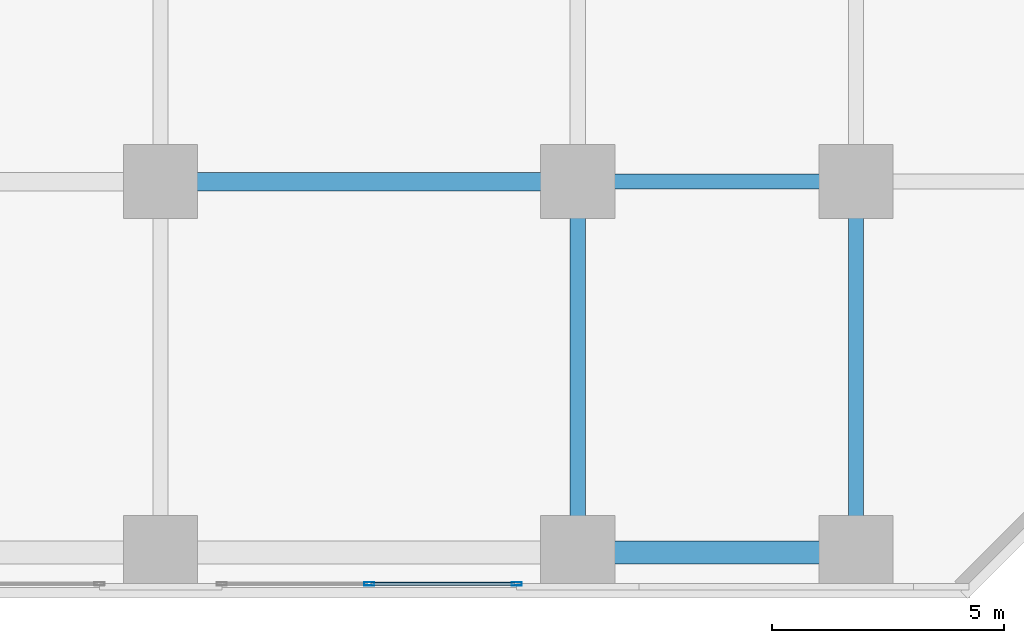
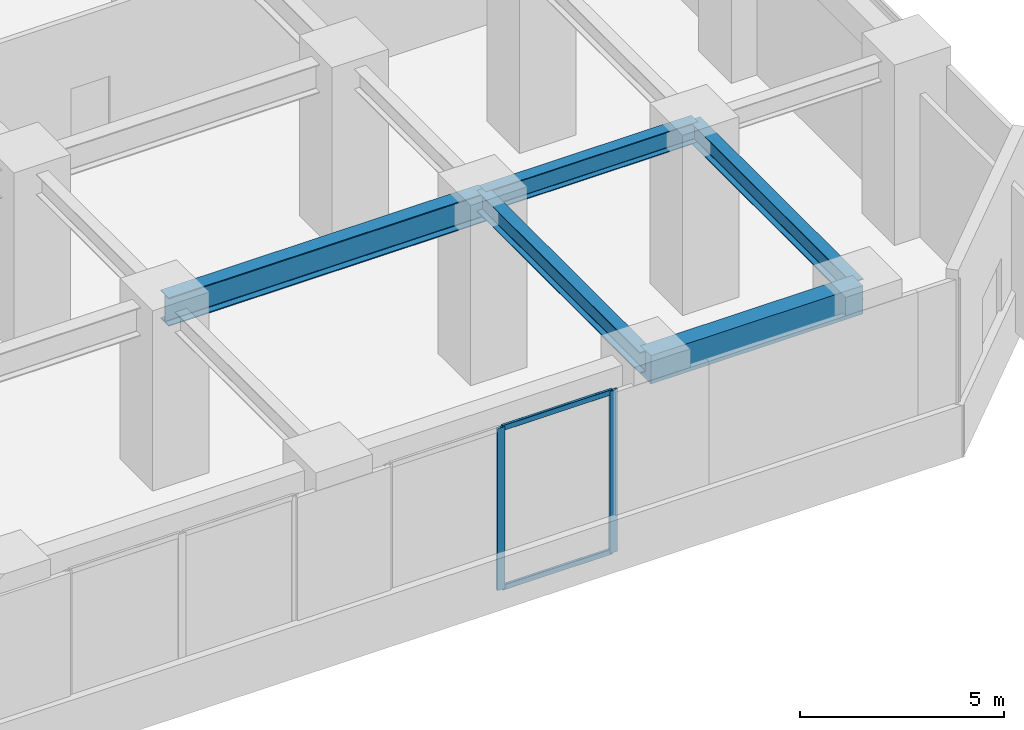
# One storey, part 9 of 33: 5 beams, 4 members, 1 element without a shape of its own.
"""IFC4 building model written with IfcOpenShell, lengths in metres."""

from ifc_helpers import new_model, si_unit, direction, frame, origin, origin_2d, place, context, subcontext, project, spatial, rectangle, hollow_rectangle, i_section, extrude, source, transform, mapped, material, material_profile, profile_set, type_object, element, aggregate, save


model = new_model("IFC4")

# Units and contexts
model_context = context("Model", 3, precision=1e-05, world=origin(), true_north=direction((0.0, 1.0)))
body_context = subcontext(model_context, "Body", "Model", "MODEL_VIEW")
ifc_project = project(units=[si_unit("LENGTHUNIT", "METRE"), si_unit("AREAUNIT", "SQUARE_METRE"), si_unit("VOLUMEUNIT", "CUBIC_METRE"), si_unit("PLANEANGLEUNIT", "RADIAN"), si_unit("MASSUNIT", "GRAM", prefix="KILO")], contexts=[model_context])

# Site, building, storey
site_placement = place(None, origin())
site = spatial("IfcSite", under=ifc_project, at=site_placement, CompositionType="ELEMENT")
building_placement = place(site_placement, origin())
building = spatial("IfcBuilding", under=site, at=building_placement, Name="Torre Montelarca", CompositionType="ELEMENT")
storey_placement = place(building_placement, frame((0.0, 0.0, 12.0)))
storey = spatial("IfcBuildingStorey", under=building, at=storey_placement, Name="L03", CompositionType="ELEMENT", Elevation=12.0)

# Beams
ifc_material_1 = material(Name="Concrete C55/67", Category="concrete")
ifc_material_profile_1 = material_profile(ifc_material_1, rectangle(XDim=0.5, YDim=0.85009765625, at=origin_2d()), Name="RCB500X850", Category="concrete")
ifc_profile_set_1 = profile_set([ifc_material_profile_1], Name="Concrete C55/67")
beam_type_1 = type_object("IfcBeamType", Name="BM-SP-RC850-EXT", PredefinedType="SPANDREL", material=ifc_profile_set_1)
shared_shape_1 = source(origin(), body_context, "Body", "SweptSolid", [
    extrude(rectangle(XDim=0.5, YDim=0.85009765625, at=origin_2d()), origin(), (0.0, 0.0, 1.0), 6.0),
])
beam_1_placement = place(storey_placement, frame((36.0, 0.0, 4.715087890625), z_axis=(1.0, 0.0, 0.0), x_axis=(0.0, 1.0, 0.0)))
element("IfcBeam", 1, at=beam_1_placement, inside=storey, type_object=beam_type_1, Name="L03 Grid Girder X 36.0-42.0 at Y=0.0", PredefinedType="SPANDREL", context=body_context, shape_type="MappedRepresentation", body=[
    mapped(shared_shape_1, transform((0.0, 0.0, 0.0), scale=1.0)),
])
ifc_material_2 = material(Name="Steel ASTM A992 Grade 50", Category="steel")
ifc_material_profile_2 = material_profile(ifc_material_2, i_section(OverallWidth=0.39990234375, OverallDepth=0.85498046875, WebThickness=0.018310546875, FlangeThickness=0.029296875, FilletRadius=0.02001953125, at=origin_2d()), Name="W840X299", Category="steel")
ifc_profile_set_2 = profile_set([ifc_material_profile_2], Name="Steel ASTM A992 Grade 50")
beam_type_2 = type_object("IfcBeamType", Name="BM-G-W840", PredefinedType="BEAM", material=ifc_profile_set_2)
shared_shape_2 = source(origin(), body_context, "Body", "SweptSolid", [
    extrude(i_section(OverallWidth=0.39990234375, OverallDepth=0.85498046875, WebThickness=0.018310546875, FlangeThickness=0.029296875, FilletRadius=0.02001953125, at=origin_2d()), origin(), (0.0, 0.0, 1.0), 9.0),
])
beam_2_placement = place(storey_placement, frame((27.0, 8.0, 4.7119140625), z_axis=(1.0, 0.0, 0.0), x_axis=(0.0, 1.0, 0.0)))
element("IfcBeam", 2, at=beam_2_placement, inside=storey, type_object=beam_type_2, Name="L03 Grid Girder X 27.0-36.0 at Y=8.0", PredefinedType="BEAM", context=body_context, shape_type="MappedRepresentation", body=[
    mapped(shared_shape_2, transform((0.0, 0.0, 0.0), scale=1.0)),
])
ifc_material_profile_3 = material_profile(ifc_material_2, i_section(OverallWidth=0.326904296875, OverallDepth=0.6220703125, WebThickness=0.015380859375, FlangeThickness=0.0244140625, FilletRadius=0.014892578125, at=origin_2d()), Name="W610X195", Category="steel")
ifc_profile_set_3 = profile_set([ifc_material_profile_3], Name="Steel ASTM A992 Grade 50")
beam_type_3 = type_object("IfcBeamType", Name="BM-G-W610H", PredefinedType="BEAM", material=ifc_profile_set_3)
shared_shape_3 = source(origin(), body_context, "Body", "SweptSolid", [
    extrude(i_section(OverallWidth=0.326904296875, OverallDepth=0.6220703125, WebThickness=0.015380859375, FlangeThickness=0.0244140625, FilletRadius=0.014892578125, at=origin_2d()), origin(), (0.0, 0.0, 1.0), 6.0),
])
beam_3_placement = place(storey_placement, frame((36.0, 8.0, 4.8291015625), z_axis=(1.0, 0.0, 0.0), x_axis=(0.0, 1.0, 0.0)))
element("IfcBeam", 3, at=beam_3_placement, inside=storey, type_object=beam_type_3, Name="L03 Grid Girder X 36.0-42.0 at Y=8.0", PredefinedType="BEAM", context=body_context, shape_type="MappedRepresentation", body=[
    mapped(shared_shape_3, transform((0.0, 0.0, 0.0), scale=1.0)),
])
shared_shape_4 = source(origin(), body_context, "Body", "SweptSolid", [
    extrude(i_section(OverallWidth=0.326904296875, OverallDepth=0.6220703125, WebThickness=0.015380859375, FlangeThickness=0.0244140625, FilletRadius=0.014892578125, at=origin_2d()), origin(), (0.0, 0.0, 1.0), 8.0),
])
for number, where, z_axis, x_axis, name in (
    (4, (36.0, 0.0, 4.8291015625), (0.0, 1.0, 0.0), (-1.0, 0.0, 0.0), "L03 Grid Girder Y 0.0-8.0 at X=36.0"),
    (5, (42.0, 0.0, 4.8291015625), (0.0, 1.0, 0.0), (-1.0, 0.0, 0.0), "L03 Grid Girder Y 0.0-8.0 at X=42.0"),
):
    element("IfcBeam", number, at=place(storey_placement, frame(where, z_axis=z_axis, x_axis=x_axis)), inside=storey, type_object=beam_type_3, Name=name, PredefinedType="BEAM", context=body_context, shape_type="MappedRepresentation", body=[
        mapped(shared_shape_4, transform((0.0, 0.0, 0.0), scale=1.0)),
    ])

# Curtain wall, members
ifc_material_3 = material(Name="Insulated low-E laminated glass", Category="glass")
curtain_wall_type = type_object("IfcCurtainWallType", Name="CW-SYS-POD2", PredefinedType="USERDEFINED", material=ifc_material_3)
curtain_wall_placement = place(storey_placement, origin())
curtain_wall = element("IfcCurtainWall", 6, at=curtain_wall_placement, inside=storey, type_object=curtain_wall_type, Name="L03 Curtain Wall Run CW-T3-L03-E01-B3", ObjectType="UNITISED GLAZING", PredefinedType="USERDEFINED")
ifc_material_4 = material(Name="Anodised aluminium AA 6063-T6", Category="aluminium")
ifc_material_profile_4 = material_profile(ifc_material_4, hollow_rectangle(XDim=0.074951171875, YDim=0.159912109375, WallThickness=0.0048828125, InnerFilletRadius=0.0048828125, OuterFilletRadius=0.010009765625, at=origin_2d()), Name="ALU75X160X5", Category="aluminium")
ifc_profile_set_4 = profile_set([ifc_material_profile_4], Name="Anodised aluminium AA 6063-T6")
member_type_1 = type_object("IfcMemberType", Name="CWT-ALU160", PredefinedType="USERDEFINED", material=ifc_profile_set_4)
shared_shape_5 = source(origin(), body_context, "Body", "SweptSolid", [
    extrude(hollow_rectangle(XDim=0.074951171875, YDim=0.159912109375, WallThickness=0.0048828125, InnerFilletRadius=0.0048828125, OuterFilletRadius=0.010009765625, at=origin_2d()), origin(), (0.0, 0.0, 1.0), 3.107421875),
])
member_1_placement = place(storey_placement, frame((31.53759765625, -0.679931640625, 0.03759765625), z_axis=(1.0, 0.0, 0.0), x_axis=(0.0, 1.0, 0.0)))
member_1 = element("IfcMember", 7, at=member_1_placement, type_object=member_type_1, Name="CW transom 2.1", ObjectType="TRANSOM", PredefinedType="USERDEFINED", context=body_context, shape_type="MappedRepresentation", body=[
    mapped(shared_shape_5, transform((0.0, 0.0, 0.0), scale=1.0)),
])
member_2_placement = place(storey_placement, frame((31.53759765625, -0.679931640625, 4.8125), z_axis=(1.0, 0.0, 0.0), x_axis=(0.0, 1.0, 0.0)))
member_2 = element("IfcMember", 8, at=member_2_placement, type_object=member_type_1, Name="CW transom 2.2", ObjectType="TRANSOM", PredefinedType="USERDEFINED", context=body_context, shape_type="MappedRepresentation", body=[
    mapped(shared_shape_5, transform((0.0, 0.0, 0.0), scale=1.0)),
])
ifc_material_profile_5 = material_profile(ifc_material_4, hollow_rectangle(XDim=0.074951171875, YDim=0.219970703125, WallThickness=0.0048828125, InnerFilletRadius=0.0048828125, OuterFilletRadius=0.010009765625, at=origin_2d()), Name="ALU75X220X5", Category="aluminium")
ifc_profile_set_5 = profile_set([ifc_material_profile_5], Name="Anodised aluminium AA 6063-T6")
member_type_2 = type_object("IfcMemberType", Name="CWM-ALU220", PredefinedType="MULLION", material=ifc_profile_set_5)
shared_shape_6 = source(origin(), body_context, "Body", "SweptSolid", [
    extrude(hollow_rectangle(XDim=0.074951171875, YDim=0.219970703125, WallThickness=0.0048828125, InnerFilletRadius=0.0048828125, OuterFilletRadius=0.010009765625, at=origin_2d()), origin(), (0.0, 0.0, 1.0), 4.85009765625),
])
member_3_placement = place(storey_placement, frame((31.5, -0.679931640625, 0.0), z_axis=(0.0, 0.0, 1.0), x_axis=(0.0, 1.0, 0.0)))
member_3 = element("IfcMember", 9, at=member_3_placement, type_object=member_type_2, Name="CW mullion 2", PredefinedType="MULLION", context=body_context, shape_type="MappedRepresentation", body=[
    mapped(shared_shape_6, transform((0.0, 0.0, 0.0), scale=1.0)),
])
member_4_placement = place(storey_placement, frame((34.6826171875, -0.679931640625, 0.0), z_axis=(0.0, 0.0, 1.0), x_axis=(0.0, 1.0, 0.0)))
member_4 = element("IfcMember", 10, at=member_4_placement, type_object=member_type_2, Name="CW mullion 3", PredefinedType="MULLION", context=body_context, shape_type="MappedRepresentation", body=[
    mapped(shared_shape_6, transform((0.0, 0.0, 0.0), scale=1.0)),
])
aggregate(curtain_wall, [member_3, member_4, member_1, member_2])

save(model, "model.ifc")
